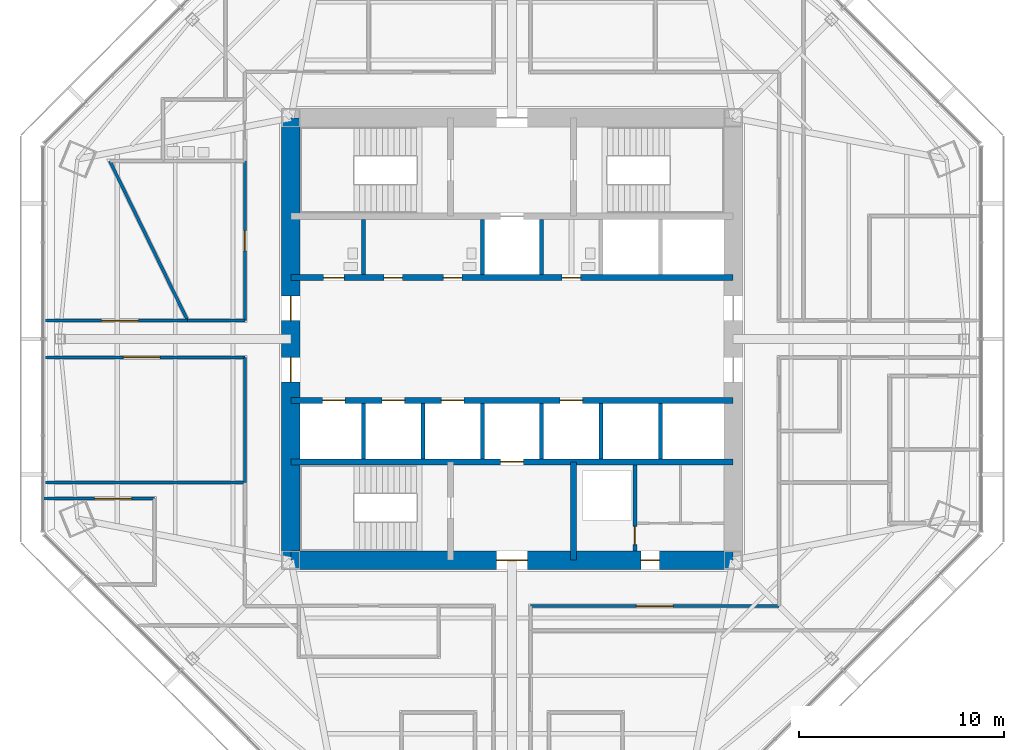
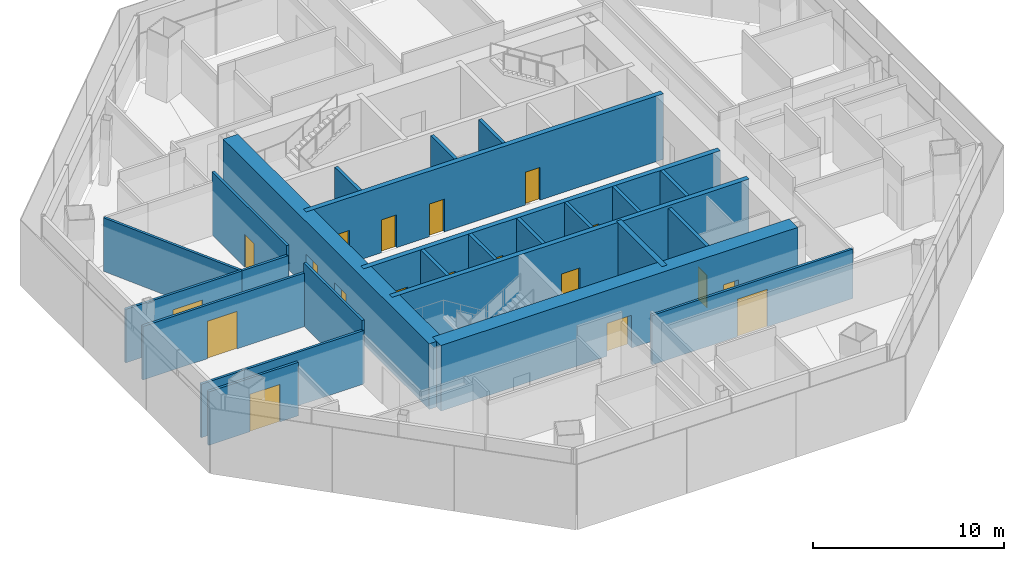
# One storey, part 9 of 14: 25 walls, 19 doors, 19 openings.
"""IFC4 building model written with IfcOpenShell, lengths in metres."""

from ifc_helpers import new_model, si_unit, direction, frame, frame_2d, origin, place, context, subcontext, project, spatial, rectangle, extrude, material, layer, layer_set, type_object, element, fill, save


model = new_model("IFC4")

# Units and contexts
model_context = context("Model", 3, precision=1e-05, world=origin(), true_north=direction((0.0, 1.0)))
body_context = subcontext(model_context, "Body", "Model", "MODEL_VIEW")
ifc_project = project(units=[si_unit("LENGTHUNIT", "METRE"), si_unit("AREAUNIT", "SQUARE_METRE"), si_unit("VOLUMEUNIT", "CUBIC_METRE"), si_unit("PLANEANGLEUNIT", "RADIAN"), si_unit("MASSUNIT", "GRAM", prefix="KILO")], contexts=[model_context])

# Site, building, storey
site_placement = place(None, origin())
site = spatial("IfcSite", under=ifc_project, at=site_placement, CompositionType="ELEMENT")
building_placement = place(site_placement, origin())
building = spatial("IfcBuilding", under=site, at=building_placement, Name="Mashrafa Tower", CompositionType="ELEMENT")
storey_placement = place(building_placement, frame((0.0, 0.0, 180.60009765625)))
storey = spatial("IfcBuildingStorey", under=building, at=storey_placement, Name="L41", CompositionType="ELEMENT", Elevation=180.60009765625)

# Wall, opening, door
ifc_material_1 = material(Name="Concrete masonry unit", Category="masonry")
ifc_layer_1 = layer(ifc_material_1, 0.199951171875)
ifc_layer_set_1 = layer_set([ifc_layer_1], Name="Blockwork wall 200 2 hr")
wall_type_1 = type_object("IfcWallType", Name="Blockwork wall 200 2 hr", PredefinedType="PARTITIONING", material=ifc_layer_set_1)
wall_1_placement = place(storey_placement, frame((6.0, -10.35009765625, 0.0), z_axis=(0.0, 0.0, 1.0), x_axis=(0.0, 1.0, 0.0)))
wall_1 = element("IfcWall", 1, at=wall_1_placement, inside=storey, type_object=wall_type_1, Name="Riser enclosure wall L41", PredefinedType="PARTITIONING", context=body_context, shape_type="SweptSolid", body=[
    extrude(rectangle(XDim=4.2001953125, YDim=0.199951171875, at=frame_2d((2.10009765625, 0.0))), origin(), (0.0, 0.0, 1.0), 4.034912109375),
])
opening_1_placement = place(wall_1_placement, frame((0.300048828125, 0.0, 0.0)))
opening_1 = element("IfcOpeningElement", 2, at=opening_1_placement, cuts=wall_1, Name="Opening 41.034", PredefinedType="OPENING", context=body_context, shape_type="SweptSolid", body=[
    extrude(rectangle(XDim=0.89990234375, YDim=2.10009765625, at=frame_2d((0.449951171875, 1.050048828125))), frame((0.0, 0.10986328125, 0.0), z_axis=(0.0, -1.0, 0.0), x_axis=(1.0, 0.0, 0.0)), (0.0, 0.0, 1.0), 0.219970703125),
])
ifc_material_2 = material(Name="Steel door", Category="steel")
door_type_1 = type_object("IfcDoorType", Name="Service door 900 x 2100 90 min", OperationType="USERDEFINED", PredefinedType="DOOR", material=ifc_material_2)
door_1_placement = place(opening_1_placement, origin())
door_1 = element("IfcDoor", 3, at=door_1_placement, inside=storey, type_object=door_type_1, Name="Riser door L41", OperationType="SINGLE_SWING_LEFT", OverallHeight=2.10009765625, OverallWidth=0.89990234375, PredefinedType="DOOR", context=body_context, shape_type="SweptSolid", body=[
    extrude(rectangle(XDim=0.89990234375, YDim=2.10009765625, at=frame_2d((0.449951171875, 1.050048828125))), frame((0.0, 0.02490234375, 0.0), z_axis=(0.0, -1.0, 0.0), x_axis=(1.0, 0.0, 0.0)), (0.0, 0.0, 1.0), 0.050048828125),
])
fill(opening_1, door_1)

# Wall, openings, doors
ifc_material_3 = material(Name="Concrete C60/75", Category="concrete")
ifc_layer_2 = layer(ifc_material_3, 0.300048828125)
ifc_layer_set_2 = layer_set([ifc_layer_2], Name="Core wall 300 C60/75")
wall_type_2 = type_object("IfcWallType", Name="Core wall 300 C60/75", PredefinedType="SOLIDWALL", material=ifc_layer_set_2)
wall_2_placement = place(storey_placement, frame((-10.800048828125, 3.0, 0.0), z_axis=(0.0, 0.0, 1.0), x_axis=(1.0, 0.0, 0.0)))
wall_2 = element("IfcWall", 4, at=wall_2_placement, inside=storey, type_object=wall_type_2, Name="Core wall CH-N L41", PredefinedType="SOLIDWALL", context=body_context, shape_type="SweptSolid", body=[
    extrude(rectangle(XDim=21.60009765625, YDim=0.300048828125, at=frame_2d((10.800048828125, 0.0))), origin(), (0.0, 0.0, 1.0), 4.199951171875),
])
opening_2_placement = place(wall_2_placement, frame((1.60009765625, 0.0, 0.0)))
opening_2 = element("IfcOpeningElement", 5, at=opening_2_placement, cuts=wall_2, Name="Opening 41.037", PredefinedType="OPENING", context=body_context, shape_type="SweptSolid", body=[
    extrude(rectangle(XDim=1.0, YDim=2.10009765625, at=frame_2d((0.5, 1.050048828125))), frame((0.0, 0.159912109375, 0.0), z_axis=(0.0, -1.0, 0.0), x_axis=(1.0, 0.0, 0.0)), (0.0, 0.0, 1.0), 0.320068359375),
])
opening_3_placement = place(wall_2_placement, frame((4.550048828125, 0.0, 0.0)))
opening_3 = element("IfcOpeningElement", 6, at=opening_3_placement, cuts=wall_2, Name="Opening 41.038", PredefinedType="OPENING", context=body_context, shape_type="SweptSolid", body=[
    extrude(rectangle(XDim=0.89990234375, YDim=2.10009765625, at=frame_2d((0.449951171875, 1.050048828125))), frame((0.0, 0.159912109375, 0.0), z_axis=(0.0, -1.0, 0.0), x_axis=(1.0, 0.0, 0.0)), (0.0, 0.0, 1.0), 0.320068359375),
])
opening_4_placement = place(wall_2_placement, frame((7.449951171875, 0.0, 0.0)))
opening_4 = element("IfcOpeningElement", 7, at=opening_4_placement, cuts=wall_2, Name="Opening 41.039", PredefinedType="OPENING", context=body_context, shape_type="SweptSolid", body=[
    extrude(rectangle(XDim=0.89990234375, YDim=2.10009765625, at=frame_2d((0.449951171875, 1.050048828125))), frame((0.0, 0.159912109375, 0.0), z_axis=(0.0, -1.0, 0.0), x_axis=(1.0, 0.0, 0.0)), (0.0, 0.0, 1.0), 0.320068359375),
])
opening_5_placement = place(wall_2_placement, frame((13.25, 0.0, 0.0)))
opening_5 = element("IfcOpeningElement", 8, at=opening_5_placement, cuts=wall_2, Name="Opening 41.040", PredefinedType="OPENING", context=body_context, shape_type="SweptSolid", body=[
    extrude(rectangle(XDim=0.89990234375, YDim=2.10009765625, at=frame_2d((0.449951171875, 1.050048828125))), frame((0.0, 0.159912109375, 0.0), z_axis=(0.0, -1.0, 0.0), x_axis=(1.0, 0.0, 0.0)), (0.0, 0.0, 1.0), 0.320068359375),
])
ifc_material_4 = material(Name="Timber door", Category="wood")
door_type_2 = type_object("IfcDoorType", Name="Accessible toilet door 1000 x 2100", OperationType="USERDEFINED", PredefinedType="DOOR", material=ifc_material_4)
door_2_placement = place(opening_2_placement, origin())
door_2 = element("IfcDoor", 9, at=door_2_placement, inside=storey, type_object=door_type_2, Name="Accessible WC L41 door", OperationType="SINGLE_SWING_RIGHT", OverallHeight=2.10009765625, OverallWidth=1.0, PredefinedType="DOOR", context=body_context, shape_type="SweptSolid", body=[
    extrude(rectangle(XDim=1.0, YDim=2.10009765625, at=frame_2d((0.5, 1.050048828125))), frame((0.0, 0.02490234375, 0.0), z_axis=(0.0, -1.0, 0.0), x_axis=(1.0, 0.0, 0.0)), (0.0, 0.0, 1.0), 0.050048828125),
])
fill(opening_2, door_2)
ifc_material_5 = material(Name="Timber door", Category="wood")
door_type_3 = type_object("IfcDoorType", Name="Toilet door 900 x 2100", OperationType="USERDEFINED", PredefinedType="DOOR", material=ifc_material_5)
door_3_placement = place(opening_3_placement, origin())
door_3 = element("IfcDoor", 10, at=door_3_placement, inside=storey, type_object=door_type_3, Name="WC Male L41 door", OperationType="SINGLE_SWING_LEFT", OverallHeight=2.10009765625, OverallWidth=0.89990234375, PredefinedType="DOOR", context=body_context, shape_type="SweptSolid", body=[
    extrude(rectangle(XDim=0.89990234375, YDim=2.10009765625, at=frame_2d((0.449951171875, 1.050048828125))), frame((0.0, 0.02490234375, 0.0), z_axis=(0.0, -1.0, 0.0), x_axis=(1.0, 0.0, 0.0)), (0.0, 0.0, 1.0), 0.050048828125),
])
fill(opening_3, door_3)
door_4_placement = place(opening_4_placement, origin())
door_4 = element("IfcDoor", 11, at=door_4_placement, inside=storey, type_object=door_type_3, Name="WC Male L41 door", OperationType="SINGLE_SWING_RIGHT", OverallHeight=2.10009765625, OverallWidth=0.89990234375, PredefinedType="DOOR", context=body_context, shape_type="SweptSolid", body=[
    extrude(rectangle(XDim=0.89990234375, YDim=2.10009765625, at=frame_2d((0.449951171875, 1.050048828125))), frame((0.0, 0.02490234375, 0.0), z_axis=(0.0, -1.0, 0.0), x_axis=(1.0, 0.0, 0.0)), (0.0, 0.0, 1.0), 0.050048828125),
])
fill(opening_4, door_4)
door_5_placement = place(opening_5_placement, origin())
door_5 = element("IfcDoor", 12, at=door_5_placement, inside=storey, type_object=door_type_3, Name="WC Female L41 door", OperationType="SINGLE_SWING_LEFT", OverallHeight=2.10009765625, OverallWidth=0.89990234375, PredefinedType="DOOR", context=body_context, shape_type="SweptSolid", body=[
    extrude(rectangle(XDim=0.89990234375, YDim=2.10009765625, at=frame_2d((0.449951171875, 1.050048828125))), frame((0.0, 0.02490234375, 0.0), z_axis=(0.0, -1.0, 0.0), x_axis=(1.0, 0.0, 0.0)), (0.0, 0.0, 1.0), 0.050048828125),
])
fill(opening_5, door_5)

wall_3_placement = place(storey_placement, frame((-10.800048828125, -3.0, 0.0), z_axis=(0.0, 0.0, 1.0), x_axis=(1.0, 0.0, 0.0)))
wall_3 = element("IfcWall", 13, at=wall_3_placement, inside=storey, type_object=wall_type_2, Name="Core wall CH-S L41", PredefinedType="SOLIDWALL", context=body_context, shape_type="SweptSolid", body=[
    extrude(rectangle(XDim=21.60009765625, YDim=0.300048828125, at=frame_2d((10.800048828125, 0.0))), origin(), (0.0, 0.0, 1.0), 4.199951171875),
])
opening_6_placement = place(wall_3_placement, frame((1.550048828125, 0.0, 0.0)))
opening_6 = element("IfcOpeningElement", 14, at=opening_6_placement, cuts=wall_3, Name="Opening 41.B1", PredefinedType="OPENING", context=body_context, shape_type="SweptSolid", body=[
    extrude(rectangle(XDim=1.10009765625, YDim=2.10009765625, at=frame_2d((0.550048828125, 1.050048828125))), frame((0.0, 0.159912109375, 0.0), z_axis=(0.0, -1.0, 0.0), x_axis=(1.0, 0.0, 0.0)), (0.0, 0.0, 1.0), 0.320068359375),
])
opening_7_placement = place(wall_3_placement, frame((4.449951171875, 0.0, 0.0)))
opening_7 = element("IfcOpeningElement", 15, at=opening_7_placement, cuts=wall_3, Name="Opening 41.B2", PredefinedType="OPENING", context=body_context, shape_type="SweptSolid", body=[
    extrude(rectangle(XDim=1.10009765625, YDim=2.10009765625, at=frame_2d((0.550048828125, 1.050048828125))), frame((0.0, 0.159912109375, 0.0), z_axis=(0.0, -1.0, 0.0), x_axis=(1.0, 0.0, 0.0)), (0.0, 0.0, 1.0), 0.320068359375),
])
opening_8_placement = place(wall_3_placement, frame((7.35009765625, 0.0, 0.0)))
opening_8 = element("IfcOpeningElement", 16, at=opening_8_placement, cuts=wall_3, Name="Opening 41.B3", PredefinedType="OPENING", context=body_context, shape_type="SweptSolid", body=[
    extrude(rectangle(XDim=1.10009765625, YDim=2.10009765625, at=frame_2d((0.550048828125, 1.050048828125))), frame((0.0, 0.159912109375, 0.0), z_axis=(0.0, -1.0, 0.0), x_axis=(1.0, 0.0, 0.0)), (0.0, 0.0, 1.0), 0.320068359375),
])
opening_9_placement = place(wall_3_placement, frame((13.14990234375, 0.0, 0.0)))
opening_9 = element("IfcOpeningElement", 17, at=opening_9_placement, cuts=wall_3, Name="Opening 41.B4", PredefinedType="OPENING", context=body_context, shape_type="SweptSolid", body=[
    extrude(rectangle(XDim=1.10009765625, YDim=2.10009765625, at=frame_2d((0.550048828125, 1.050048828125))), frame((0.0, 0.159912109375, 0.0), z_axis=(0.0, -1.0, 0.0), x_axis=(1.0, 0.0, 0.0)), (0.0, 0.0, 1.0), 0.320068359375),
])
ifc_material_6 = material(Name="Steel door", Category="steel")
door_type_4 = type_object("IfcDoorType", Name="Lift landing door 1100 x 2100 90 min", OperationType="DOUBLE_DOOR_SLIDING", PredefinedType="DOOR", material=ifc_material_6)
door_6_placement = place(opening_6_placement, origin())
door_6 = element("IfcDoor", 18, at=door_6_placement, inside=storey, type_object=door_type_4, Name="Lift landing door B1 L41", OperationType="DOUBLE_DOOR_SLIDING", OverallHeight=2.10009765625, OverallWidth=1.10009765625, PredefinedType="DOOR", context=body_context, shape_type="SweptSolid", body=[
    extrude(rectangle(XDim=1.10009765625, YDim=2.10009765625, at=frame_2d((0.550048828125, 1.050048828125))), frame((0.0, 0.02490234375, 0.0), z_axis=(0.0, -1.0, 0.0), x_axis=(1.0, 0.0, 0.0)), (0.0, 0.0, 1.0), 0.050048828125),
])
fill(opening_6, door_6)
door_7_placement = place(opening_7_placement, origin())
door_7 = element("IfcDoor", 19, at=door_7_placement, inside=storey, type_object=door_type_4, Name="Lift landing door B2 L41", OperationType="DOUBLE_DOOR_SLIDING", OverallHeight=2.10009765625, OverallWidth=1.10009765625, PredefinedType="DOOR", context=body_context, shape_type="SweptSolid", body=[
    extrude(rectangle(XDim=1.10009765625, YDim=2.10009765625, at=frame_2d((0.550048828125, 1.050048828125))), frame((0.0, 0.02490234375, 0.0), z_axis=(0.0, -1.0, 0.0), x_axis=(1.0, 0.0, 0.0)), (0.0, 0.0, 1.0), 0.050048828125),
])
fill(opening_7, door_7)
door_8_placement = place(opening_8_placement, origin())
door_8 = element("IfcDoor", 20, at=door_8_placement, inside=storey, type_object=door_type_4, Name="Lift landing door B3 L41", OperationType="DOUBLE_DOOR_SLIDING", OverallHeight=2.10009765625, OverallWidth=1.10009765625, PredefinedType="DOOR", context=body_context, shape_type="SweptSolid", body=[
    extrude(rectangle(XDim=1.10009765625, YDim=2.10009765625, at=frame_2d((0.550048828125, 1.050048828125))), frame((0.0, 0.02490234375, 0.0), z_axis=(0.0, -1.0, 0.0), x_axis=(1.0, 0.0, 0.0)), (0.0, 0.0, 1.0), 0.050048828125),
])
fill(opening_8, door_8)
door_9_placement = place(opening_9_placement, origin())
door_9 = element("IfcDoor", 21, at=door_9_placement, inside=storey, type_object=door_type_4, Name="Lift landing door B4 L41", OperationType="DOUBLE_DOOR_SLIDING", OverallHeight=2.10009765625, OverallWidth=1.10009765625, PredefinedType="DOOR", context=body_context, shape_type="SweptSolid", body=[
    extrude(rectangle(XDim=1.10009765625, YDim=2.10009765625, at=frame_2d((0.550048828125, 1.050048828125))), frame((0.0, 0.02490234375, 0.0), z_axis=(0.0, -1.0, 0.0), x_axis=(1.0, 0.0, 0.0)), (0.0, 0.0, 1.0), 0.050048828125),
])
fill(opening_9, door_9)

# Wall, opening, door
wall_4_placement = place(storey_placement, frame((-10.800048828125, -6.0, 0.0), z_axis=(0.0, 0.0, 1.0), x_axis=(1.0, 0.0, 0.0)))
wall_4 = element("IfcWall", 22, at=wall_4_placement, inside=storey, type_object=wall_type_2, Name="Core wall CB-S L41", PredefinedType="SOLIDWALL", context=body_context, shape_type="SweptSolid", body=[
    extrude(rectangle(XDim=21.60009765625, YDim=0.300048828125, at=frame_2d((10.800048828125, 0.0))), origin(), (0.0, 0.0, 1.0), 4.199951171875),
])
opening_10_placement = place(wall_4_placement, frame((10.25, 0.0, 0.0)))
opening_10 = element("IfcOpeningElement", 23, at=opening_10_placement, cuts=wall_4, Name="Opening 41.F2", PredefinedType="OPENING", context=body_context, shape_type="SweptSolid", body=[
    extrude(rectangle(XDim=1.10009765625, YDim=2.10009765625, at=frame_2d((0.550048828125, 1.050048828125))), frame((0.0, 0.159912109375, 0.0), z_axis=(0.0, -1.0, 0.0), x_axis=(1.0, 0.0, 0.0)), (0.0, 0.0, 1.0), 0.320068359375),
])
door_10_placement = place(opening_10_placement, origin())
door_10 = element("IfcDoor", 24, at=door_10_placement, inside=storey, type_object=door_type_4, Name="Lift landing door F2 L41", OperationType="DOUBLE_DOOR_SLIDING", OverallHeight=2.10009765625, OverallWidth=1.10009765625, PredefinedType="DOOR", context=body_context, shape_type="SweptSolid", body=[
    extrude(rectangle(XDim=1.10009765625, YDim=2.10009765625, at=frame_2d((0.550048828125, 1.050048828125))), frame((0.0, 0.02490234375, 0.0), z_axis=(0.0, -1.0, 0.0), x_axis=(1.0, 0.0, 0.0)), (0.0, 0.0, 1.0), 0.050048828125),
])
fill(opening_10, door_10)

# Wall
wall_5_placement = place(storey_placement, frame((3.0, -6.0, 0.0), z_axis=(0.0, 0.0, 1.0), x_axis=(0.0, -1.0, 0.0)))
element("IfcWall", 25, at=wall_5_placement, inside=storey, type_object=wall_type_2, Name="Core wall CX-SE L41", PredefinedType="SOLIDWALL", context=body_context, shape_type="SweptSolid", body=[
    extrude(rectangle(XDim=4.800048828125, YDim=0.300048828125, at=frame_2d((2.39990234375, 0.0))), origin(), (0.0, 0.0, 1.0), 4.199951171875),
])

# Wall, openings, doors
ifc_material_7 = material(Name="Concrete C60/75", Category="concrete")
ifc_layer_3 = layer(ifc_material_7, 0.89990234375)
ifc_layer_set_3 = layer_set([ifc_layer_3], Name="Core wall 900 C60/75")
wall_type_3 = type_object("IfcWallType", Name="Core wall 900 C60/75", PredefinedType="SOLIDWALL", material=ifc_layer_set_3)
wall_6_placement = place(storey_placement, frame((-10.800048828125, -10.800048828125, 0.0), z_axis=(0.0, 0.0, 1.0), x_axis=(1.0, 0.0, 0.0)))
wall_6 = element("IfcWall", 26, at=wall_6_placement, inside=storey, type_object=wall_type_3, Name="Core wall CW-S L41", PredefinedType="SOLIDWALL", context=body_context, shape_type="SweptSolid", body=[
    extrude(rectangle(XDim=21.60009765625, YDim=0.89990234375, at=frame_2d((10.800048828125, 0.0))), origin(), (0.0, 0.0, 1.0), 4.199951171875),
])
opening_11_placement = place(wall_6_placement, frame((10.050048828125, 0.0, 0.0)))
opening_11 = element("IfcOpeningElement", 27, at=opening_11_placement, cuts=wall_6, Name="Opening 41.029", PredefinedType="OPENING", context=body_context, shape_type="SweptSolid", body=[
    extrude(rectangle(XDim=1.5, YDim=2.10009765625, at=frame_2d((0.75, 1.050048828125))), frame((0.0, 0.4599609375, 0.0), z_axis=(0.0, -1.0, 0.0), x_axis=(1.0, 0.0, 0.0)), (0.0, 0.0, 1.0), 0.919921875),
])
opening_12_placement = place(wall_6_placement, frame((17.10009765625, 0.0, 0.0)))
opening_12 = element("IfcOpeningElement", 28, at=opening_12_placement, cuts=wall_6, Name="Opening 41.033", PredefinedType="OPENING", context=body_context, shape_type="SweptSolid", body=[
    extrude(rectangle(XDim=0.89990234375, YDim=2.10009765625, at=frame_2d((0.449951171875, 1.050048828125))), frame((0.0, 0.4599609375, 0.0), z_axis=(0.0, -1.0, 0.0), x_axis=(1.0, 0.0, 0.0)), (0.0, 0.0, 1.0), 0.919921875),
])
ifc_material_8 = material(Name="Steel door", Category="steel")
door_type_5 = type_object("IfcDoorType", Name="Lobby door pair 1500 x 2100 90 min", OperationType="DOUBLE_DOOR_SINGLE_SWING", PredefinedType="DOOR", material=ifc_material_8)
door_11_placement = place(opening_11_placement, origin())
door_11 = element("IfcDoor", 29, at=door_11_placement, inside=storey, type_object=door_type_5, Name="Fire-fighting lobby F2 door L41", OperationType="DOUBLE_DOOR_SINGLE_SWING", OverallHeight=2.10009765625, OverallWidth=1.5, PredefinedType="DOOR", context=body_context, shape_type="SweptSolid", body=[
    extrude(rectangle(XDim=1.5, YDim=2.10009765625, at=frame_2d((0.75, 1.050048828125))), frame((0.0, 0.02490234375, 0.0), z_axis=(0.0, -1.0, 0.0), x_axis=(1.0, 0.0, 0.0)), (0.0, 0.0, 1.0), 0.050048828125),
])
fill(opening_11, door_11)
door_12_placement = place(opening_12_placement, frame((0.89990234375, 0.0, 0.0), z_axis=(0.0, 0.0, 1.0), x_axis=(-1.0, 0.0, 0.0)))
door_12 = element("IfcDoor", 30, at=door_12_placement, inside=storey, type_object=door_type_1, Name="Services Lobby L41 door", OperationType="SINGLE_SWING_LEFT", OverallHeight=2.10009765625, OverallWidth=0.89990234375, PredefinedType="DOOR", context=body_context, shape_type="SweptSolid", body=[
    extrude(rectangle(XDim=0.89990234375, YDim=2.10009765625, at=frame_2d((0.449951171875, 1.050048828125))), frame((0.0, 0.02490234375, 0.0), z_axis=(0.0, -1.0, 0.0), x_axis=(1.0, 0.0, 0.0)), (0.0, 0.0, 1.0), 0.050048828125),
])
fill(opening_12, door_12)

wall_7_placement = place(storey_placement, frame((-10.800048828125, 10.800048828125, 0.0), z_axis=(0.0, 0.0, 1.0), x_axis=(0.0, -1.0, 0.0)))
wall_7 = element("IfcWall", 31, at=wall_7_placement, inside=storey, type_object=wall_type_3, Name="Core wall CW-W L41", PredefinedType="SOLIDWALL", context=body_context, shape_type="SweptSolid", body=[
    extrude(rectangle(XDim=21.60009765625, YDim=0.89990234375, at=frame_2d((10.800048828125, 0.0))), origin(), (0.0, 0.0, 1.0), 4.199951171875),
])
opening_13_placement = place(wall_7_placement, frame((8.699951171875, 0.0, 0.0)))
opening_13 = element("IfcOpeningElement", 32, at=opening_13_placement, cuts=wall_7, Name="Opening 41.025", PredefinedType="OPENING", context=body_context, shape_type="SweptSolid", body=[
    extrude(rectangle(XDim=1.199951171875, YDim=2.10009765625, at=frame_2d((0.60009765625, 1.050048828125))), frame((0.0, 0.4599609375, 0.0), z_axis=(0.0, -1.0, 0.0), x_axis=(1.0, 0.0, 0.0)), (0.0, 0.0, 1.0), 0.919921875),
])
opening_14_placement = place(wall_7_placement, frame((11.699951171875, 0.0, 0.0)))
opening_14 = element("IfcOpeningElement", 33, at=opening_14_placement, cuts=wall_7, Name="Opening 41.027", PredefinedType="OPENING", context=body_context, shape_type="SweptSolid", body=[
    extrude(rectangle(XDim=1.199951171875, YDim=2.10009765625, at=frame_2d((0.60009765625, 1.050048828125))), frame((0.0, 0.4599609375, 0.0), z_axis=(0.0, -1.0, 0.0), x_axis=(1.0, 0.0, 0.0)), (0.0, 0.0, 1.0), 0.919921875),
])
ifc_material_9 = material(Name="Steel door", Category="steel")
door_type_6 = type_object("IfcDoorType", Name="Lift hall door 1200 x 2100 90 min", OperationType="USERDEFINED", PredefinedType="DOOR", material=ifc_material_9)
door_13_placement = place(opening_13_placement, frame((1.199951171875, 0.0, 0.0), z_axis=(0.0, 0.0, 1.0), x_axis=(-1.0, 0.0, 0.0)))
door_13 = element("IfcDoor", 34, at=door_13_placement, inside=storey, type_object=door_type_6, Name="Lift hall door west L41", OperationType="SINGLE_SWING_RIGHT", OverallHeight=2.10009765625, OverallWidth=1.199951171875, PredefinedType="DOOR", context=body_context, shape_type="SweptSolid", body=[
    extrude(rectangle(XDim=1.199951171875, YDim=2.10009765625, at=frame_2d((0.60009765625, 1.050048828125))), frame((0.0, 0.02490234375, 0.0), z_axis=(0.0, -1.0, 0.0), x_axis=(1.0, 0.0, 0.0)), (0.0, 0.0, 1.0), 0.050048828125),
])
fill(opening_13, door_13)
door_14_placement = place(opening_14_placement, frame((1.199951171875, 0.0, 0.0), z_axis=(0.0, 0.0, 1.0), x_axis=(-1.0, 0.0, 0.0)))
door_14 = element("IfcDoor", 35, at=door_14_placement, inside=storey, type_object=door_type_6, Name="Lift hall door west L41", OperationType="SINGLE_SWING_LEFT", OverallHeight=2.10009765625, OverallWidth=1.199951171875, PredefinedType="DOOR", context=body_context, shape_type="SweptSolid", body=[
    extrude(rectangle(XDim=1.199951171875, YDim=2.10009765625, at=frame_2d((0.60009765625, 1.050048828125))), frame((0.0, 0.02490234375, 0.0), z_axis=(0.0, -1.0, 0.0), x_axis=(1.0, 0.0, 0.0)), (0.0, 0.0, 1.0), 0.050048828125),
])
fill(opening_14, door_14)

# Wall, opening, door
ifc_material_10 = material(Name="Gypsum board on steel studs", Category="steel")
ifc_layer_4 = layer(ifc_material_10, 0.14990234375)
ifc_layer_set_4 = layer_set([ifc_layer_4], Name="Corridor partition 150 1 hr")
wall_type_4 = type_object("IfcWallType", Name="Corridor partition 150 1 hr", PredefinedType="PARTITIONING", material=ifc_layer_set_4)
wall_8_placement = place(storey_placement, frame((-13.050048828125, 8.700927734375, 0.0), z_axis=(0.0, 0.0, 1.0), x_axis=(0.0, -1.0, 0.0)))
wall_8 = element("IfcWall", 36, at=wall_8_placement, inside=storey, type_object=wall_type_4, Name="Corridor wall L41-001", PredefinedType="PARTITIONING", context=body_context, shape_type="SweptSolid", body=[
    extrude(rectangle(XDim=7.801025390625, YDim=0.14990234375, at=frame_2d((3.900390625, 0.0))), origin(), (0.0, 0.0, 1.0), 4.034912109375),
])
opening_15_placement = place(wall_8_placement, frame((3.400390625, 0.0, 0.0)))
opening_15 = element("IfcOpeningElement", 37, at=opening_15_placement, cuts=wall_8, Name="Opening 41.001", PredefinedType="OPENING", context=body_context, shape_type="SweptSolid", body=[
    extrude(rectangle(XDim=1.0, YDim=2.10009765625, at=frame_2d((0.5, 1.050048828125))), frame((0.0, 0.0849609375, 0.0), z_axis=(0.0, -1.0, 0.0), x_axis=(1.0, 0.0, 0.0)), (0.0, 0.0, 1.0), 0.169921875),
])
ifc_material_11 = material(Name="Timber door", Category="wood")
door_type_7 = type_object("IfcDoorType", Name="Door 1000 x 2100", OperationType="USERDEFINED", PredefinedType="DOOR", material=ifc_material_11)
door_15_placement = place(opening_15_placement, frame((1.0, 0.0, 0.0), z_axis=(0.0, 0.0, 1.0), x_axis=(-1.0, 0.0, 0.0)))
door_15 = element("IfcDoor", 38, at=door_15_placement, inside=storey, type_object=door_type_7, Name="Musallah Prayer Room 41 door", OperationType="SINGLE_SWING_LEFT", OverallHeight=2.10009765625, OverallWidth=1.0, PredefinedType="DOOR", context=body_context, shape_type="SweptSolid", body=[
    extrude(rectangle(XDim=1.0, YDim=2.10009765625, at=frame_2d((0.5, 1.050048828125))), frame((0.0, 0.02490234375, 0.0), z_axis=(0.0, -1.0, 0.0), x_axis=(1.0, 0.0, 0.0)), (0.0, 0.0, 1.0), 0.050048828125),
])
fill(opening_15, door_15)

# Wall
wall_9_placement = place(storey_placement, frame((-13.050048828125, 0.89990234375, 0.0), z_axis=(0.0, 0.0, 1.0), x_axis=(-1.0, 0.0, 0.0)))
element("IfcWall", 39, at=wall_9_placement, inside=storey, type_object=wall_type_4, Name="Corridor wall L41-002", PredefinedType="PARTITIONING", context=body_context, shape_type="SweptSolid", body=[
    extrude(rectangle(XDim=2.796630859375, YDim=0.14990234375, at=frame_2d((1.3984375, 0.0))), origin(), (0.0, 0.0, 1.0), 3.425537109375),
])

# Wall, opening, door
wall_10_placement = place(storey_placement, frame((-15.844482421875, 0.89990234375, 0.0), z_axis=(0.0, 0.0, 1.0), x_axis=(-1.0, 0.0, 0.0)))
wall_10 = element("IfcWall", 40, at=wall_10_placement, inside=storey, type_object=wall_type_4, Name="Corridor wall L41-015", PredefinedType="PARTITIONING", context=body_context, shape_type="SweptSolid", body=[
    extrude(rectangle(XDim=7.04541015625, YDim=0.14990234375, at=frame_2d((3.522705078125, 0.0))), origin(), (0.0, 0.0, 1.0), 3.425537109375),
])
opening_16_placement = place(wall_10_placement, frame((2.405517578125, 0.0, 0.0)))
opening_16 = element("IfcOpeningElement", 41, at=opening_16_placement, cuts=wall_10, Name="Opening 41.015", PredefinedType="OPENING", context=body_context, shape_type="SweptSolid", body=[
    extrude(rectangle(XDim=1.800048828125, YDim=2.39990234375, at=frame_2d((0.89990234375, 1.199951171875))), frame((0.0, 0.0849609375, 0.0), z_axis=(0.0, -1.0, 0.0), x_axis=(1.0, 0.0, 0.0)), (0.0, 0.0, 1.0), 0.169921875),
])
ifc_material_12 = material(Name="Timber door", Category="wood")
door_type_8 = type_object("IfcDoorType", Name="Door pair 1800 x 2400", OperationType="DOUBLE_DOOR_SINGLE_SWING", PredefinedType="DOOR", material=ifc_material_12)
door_16_placement = place(opening_16_placement, frame((1.800048828125, 0.0, 0.0), z_axis=(0.0, 0.0, 1.0), x_axis=(-1.0, 0.0, 0.0)))
door_16 = element("IfcDoor", 42, at=door_16_placement, inside=storey, type_object=door_type_8, Name="Board Secretariat Office 41-NW3 door", OperationType="DOUBLE_DOOR_SINGLE_SWING", OverallHeight=2.39990234375, OverallWidth=1.800048828125, PredefinedType="DOOR", context=body_context, shape_type="SweptSolid", body=[
    extrude(rectangle(XDim=1.800048828125, YDim=2.39990234375, at=frame_2d((0.89990234375, 1.199951171875))), frame((0.0, 0.02490234375, 0.0), z_axis=(0.0, -1.0, 0.0), x_axis=(1.0, 0.0, 0.0)), (0.0, 0.0, 1.0), 0.050048828125),
])
fill(opening_16, door_16)

wall_11_placement = place(storey_placement, frame((-22.889892578125, -0.89990234375, 0.0), z_axis=(0.0, 0.0, 1.0), x_axis=(1.0, 0.0, 0.0)))
wall_11 = element("IfcWall", 43, at=wall_11_placement, inside=storey, type_object=wall_type_4, Name="Corridor wall L41-024", PredefinedType="PARTITIONING", context=body_context, shape_type="SweptSolid", body=[
    extrude(rectangle(XDim=9.83984375, YDim=0.14990234375, at=frame_2d((4.919921875, 0.0))), origin(), (0.0, 0.0, 1.0), 3.425537109375),
])
opening_17_placement = place(wall_11_placement, frame((3.90185546875, 0.0, 0.0)))
opening_17 = element("IfcOpeningElement", 44, at=opening_17_placement, cuts=wall_11, Name="Opening 41.020", PredefinedType="OPENING", context=body_context, shape_type="SweptSolid", body=[
    extrude(rectangle(XDim=1.800048828125, YDim=2.39990234375, at=frame_2d((0.89990234375, 1.199951171875))), frame((0.0, 0.0849609375, 0.0), z_axis=(0.0, -1.0, 0.0), x_axis=(1.0, 0.0, 0.0)), (0.0, 0.0, 1.0), 0.169921875),
])
door_17_placement = place(opening_17_placement, frame((1.800048828125, 0.0, 0.0), z_axis=(0.0, 0.0, 1.0), x_axis=(-1.0, 0.0, 0.0)))
door_17 = element("IfcDoor", 45, at=door_17_placement, inside=storey, type_object=door_type_8, Name="General Counsel's Office 41-SW1 door", OperationType="DOUBLE_DOOR_SINGLE_SWING", OverallHeight=2.39990234375, OverallWidth=1.800048828125, PredefinedType="DOOR", context=body_context, shape_type="SweptSolid", body=[
    extrude(rectangle(XDim=1.800048828125, YDim=2.39990234375, at=frame_2d((0.89990234375, 1.199951171875))), frame((0.0, 0.02490234375, 0.0), z_axis=(0.0, -1.0, 0.0), x_axis=(1.0, 0.0, 0.0)), (0.0, 0.0, 1.0), 0.050048828125),
])
fill(opening_17, door_17)

# Wall
wall_12_placement = place(storey_placement, frame((-13.050048828125, -0.89990234375, 0.0), z_axis=(0.0, 0.0, 1.0), x_axis=(0.0, -1.0, 0.0)))
element("IfcWall", 46, at=wall_12_placement, inside=storey, type_object=wall_type_4, Name="Corridor wall L41-025", PredefinedType="PARTITIONING", context=body_context, shape_type="SweptSolid", body=[
    extrude(rectangle(XDim=6.10107421875, YDim=0.14990234375, at=frame_2d((3.050537109375, 0.0))), origin(), (0.0, 0.0, 1.0), 4.034912109375),
])

# Wall, opening, door
wall_13_placement = place(storey_placement, frame((0.89990234375, -13.050048828125, 0.0), z_axis=(0.0, 0.0, 1.0), x_axis=(1.0, 0.0, 0.0)))
wall_13 = element("IfcWall", 47, at=wall_13_placement, inside=storey, type_object=wall_type_4, Name="Corridor wall L41-028", PredefinedType="PARTITIONING", context=body_context, shape_type="SweptSolid", body=[
    extrude(rectangle(XDim=12.150146484375, YDim=0.14990234375, at=frame_2d((6.0751953125, 0.0))), origin(), (0.0, 0.0, 1.0), 3.16650390625),
])
opening_18_placement = place(wall_13_placement, frame((5.175048828125, 0.0, 0.0)))
opening_18 = element("IfcOpeningElement", 48, at=opening_18_placement, cuts=wall_13, Name="Opening 41.022", PredefinedType="OPENING", context=body_context, shape_type="SweptSolid", body=[
    extrude(rectangle(XDim=1.800048828125, YDim=2.39990234375, at=frame_2d((0.89990234375, 1.199951171875))), frame((0.0, 0.0849609375, 0.0), z_axis=(0.0, -1.0, 0.0), x_axis=(1.0, 0.0, 0.0)), (0.0, 0.0, 1.0), 0.169921875),
])
door_18_placement = place(opening_18_placement, frame((1.800048828125, 0.0, 0.0), z_axis=(0.0, 0.0, 1.0), x_axis=(-1.0, 0.0, 0.0)))
door_18 = element("IfcDoor", 49, at=door_18_placement, inside=storey, type_object=door_type_8, Name="Corporate Affairs Office 41-SE2 door", OperationType="DOUBLE_DOOR_SINGLE_SWING", OverallHeight=2.39990234375, OverallWidth=1.800048828125, PredefinedType="DOOR", context=body_context, shape_type="SweptSolid", body=[
    extrude(rectangle(XDim=1.800048828125, YDim=2.39990234375, at=frame_2d((0.89990234375, 1.199951171875))), frame((0.0, 0.02490234375, 0.0), z_axis=(0.0, -1.0, 0.0), x_axis=(1.0, 0.0, 0.0)), (0.0, 0.0, 1.0), 0.050048828125),
])
fill(opening_18, door_18)

# Wall
ifc_material_13 = material(Name="Gypsum board on steel studs", Category="steel")
ifc_layer_5 = layer(ifc_material_13, 0.14990234375)
ifc_layer_set_5 = layer_set([ifc_layer_5], Name="Partition 150")
wall_type_5 = type_object("IfcWallType", Name="Partition 150", PredefinedType="PARTITIONING", material=ifc_layer_set_5)
wall_14_placement = place(storey_placement, frame((-19.64990234375, 8.699951171875, 0.0), z_axis=(0.0, 0.0, 1.0), x_axis=(0.438358227548, -0.898800347319, 0.0)))
element("IfcWall", 50, at=wall_14_placement, inside=storey, type_object=wall_type_5, Name="Partition wall L41-034", PredefinedType="PARTITIONING", context=body_context, shape_type="SweptSolid", body=[
    extrude(rectangle(XDim=8.67822265625, YDim=0.14990234375, at=frame_2d((4.339111328125, 0.0))), origin(), (0.0, 0.0, 1.0), 3.425537109375),
])

# Wall, opening, door
wall_15_placement = place(storey_placement, frame((-17.455810546875, -7.800048828125, 0.0), z_axis=(0.0, 0.0, 1.0), x_axis=(-1.0, 0.0, 0.0)))
wall_15 = element("IfcWall", 51, at=wall_15_placement, inside=storey, type_object=wall_type_5, Name="Partition wall L41-046", PredefinedType="PARTITIONING", context=body_context, shape_type="SweptSolid", body=[
    extrude(rectangle(XDim=5.43408203125, YDim=0.14990234375, at=frame_2d((2.717041015625, 0.0))), origin(), (0.0, 0.0, 1.0), 3.425537109375),
])
opening_19_placement = place(wall_15_placement, frame((1.1298828125, 0.0, 0.0)))
opening_19 = element("IfcOpeningElement", 52, at=opening_19_placement, cuts=wall_15, Name="Opening 41.005", PredefinedType="OPENING", context=body_context, shape_type="SweptSolid", body=[
    extrude(rectangle(XDim=1.800048828125, YDim=2.39990234375, at=frame_2d((0.89990234375, 1.199951171875))), frame((0.0, 0.0849609375, 0.0), z_axis=(0.0, -1.0, 0.0), x_axis=(1.0, 0.0, 0.0)), (0.0, 0.0, 1.0), 0.169921875),
])
door_19_placement = place(opening_19_placement, origin())
door_19 = element("IfcDoor", 53, at=door_19_placement, inside=storey, type_object=door_type_8, Name="Executive Dining Room 41-SW2 door", OperationType="DOUBLE_DOOR_SINGLE_SWING", OverallHeight=2.39990234375, OverallWidth=1.800048828125, PredefinedType="DOOR", context=body_context, shape_type="SweptSolid", body=[
    extrude(rectangle(XDim=1.800048828125, YDim=2.39990234375, at=frame_2d((0.89990234375, 1.199951171875))), frame((0.0, 0.02490234375, 0.0), z_axis=(0.0, -1.0, 0.0), x_axis=(1.0, 0.0, 0.0)), (0.0, 0.0, 1.0), 0.050048828125),
])
fill(opening_19, door_19)

# Walls
wall_16_placement = place(storey_placement, frame((-13.050048828125, -7.0, 0.0), z_axis=(0.0, 0.0, 1.0), x_axis=(-1.0, 0.0, 0.0)))
element("IfcWall", 54, at=wall_16_placement, inside=storey, type_object=wall_type_5, Name="Partition wall L41-071", PredefinedType="PARTITIONING", context=body_context, shape_type="SweptSolid", body=[
    extrude(rectangle(XDim=9.837646484375, YDim=0.14990234375, at=frame_2d((4.9189453125, 0.0))), origin(), (0.0, 0.0, 1.0), 3.425537109375),
])
ifc_material_14 = material(Name="Gypsum shaft wall on steel studs", Category="steel")
ifc_layer_6 = layer(ifc_material_14, 0.199951171875)
ifc_layer_set_6 = layer_set([ifc_layer_6], Name="Shaft divider wall 200 2 hr")
wall_type_6 = type_object("IfcWallType", Name="Shaft divider wall 200 2 hr", PredefinedType="PARTITIONING", material=ifc_layer_set_6)
for number, where, z_axis, x_axis, name in (
    (55, (-7.25, 3.14990234375, 0.0), (0.0, 0.0, 1.0), (0.0, 1.0, 0.0), "Shaft divider wall N1 L41"),
    (56, (-1.449951171875, 3.14990234375, 0.0), (0.0, 0.0, 1.0), (0.0, 1.0, 0.0), "Shaft divider wall N3 L41"),
    (57, (1.449951171875, 3.14990234375, 0.0), (0.0, 0.0, 1.0), (0.0, 1.0, 0.0), "Shaft divider wall N4 L41"),
):
    element("IfcWall", number, at=place(storey_placement, frame(where, z_axis=z_axis, x_axis=x_axis)), inside=storey, type_object=wall_type_6, Name=name, PredefinedType="PARTITIONING", context=body_context, shape_type="SweptSolid", body=[
        extrude(rectangle(XDim=2.7001953125, YDim=0.199951171875, at=frame_2d((1.35009765625, 0.0))), origin(), (0.0, 0.0, 1.0), 4.034912109375),
    ])
for number, where, z_axis, x_axis, name in (
    (58, (-7.25, -5.85009765625, 0.0), (0.0, 0.0, 1.0), (0.0, 1.0, 0.0), "Shaft divider wall S1 L41"),
    (59, (-4.35009765625, -5.85009765625, 0.0), (0.0, 0.0, 1.0), (0.0, 1.0, 0.0), "Shaft divider wall S2 L41"),
    (60, (-1.449951171875, -5.85009765625, 0.0), (0.0, 0.0, 1.0), (0.0, 1.0, 0.0), "Shaft divider wall S3 L41"),
    (61, (1.449951171875, -5.85009765625, 0.0), (0.0, 0.0, 1.0), (0.0, 1.0, 0.0), "Shaft divider wall S4 L41"),
    (62, (4.35009765625, -5.85009765625, 0.0), (0.0, 0.0, 1.0), (0.0, 1.0, 0.0), "Shaft divider wall S5 L41"),
    (63, (7.25, -5.85009765625, 0.0), (0.0, 0.0, 1.0), (0.0, 1.0, 0.0), "Shaft divider wall S6 L41"),
):
    element("IfcWall", number, at=place(storey_placement, frame(where, z_axis=z_axis, x_axis=x_axis)), inside=storey, type_object=wall_type_6, Name=name, PredefinedType="PARTITIONING", context=body_context, shape_type="SweptSolid", body=[
        extrude(rectangle(XDim=2.7001953125, YDim=0.199951171875, at=frame_2d((1.35009765625, 0.0))), origin(), (0.0, 0.0, 1.0), 4.199951171875),
    ])

save(model, "model.ifc")
